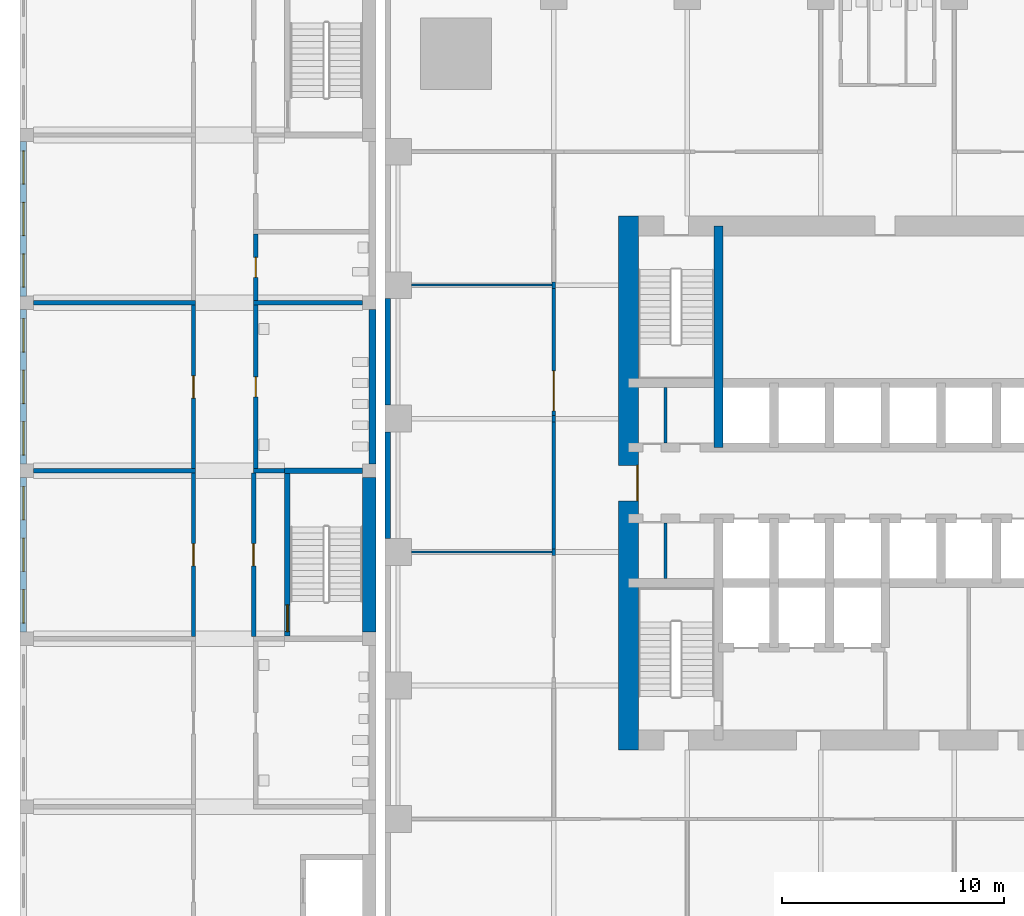
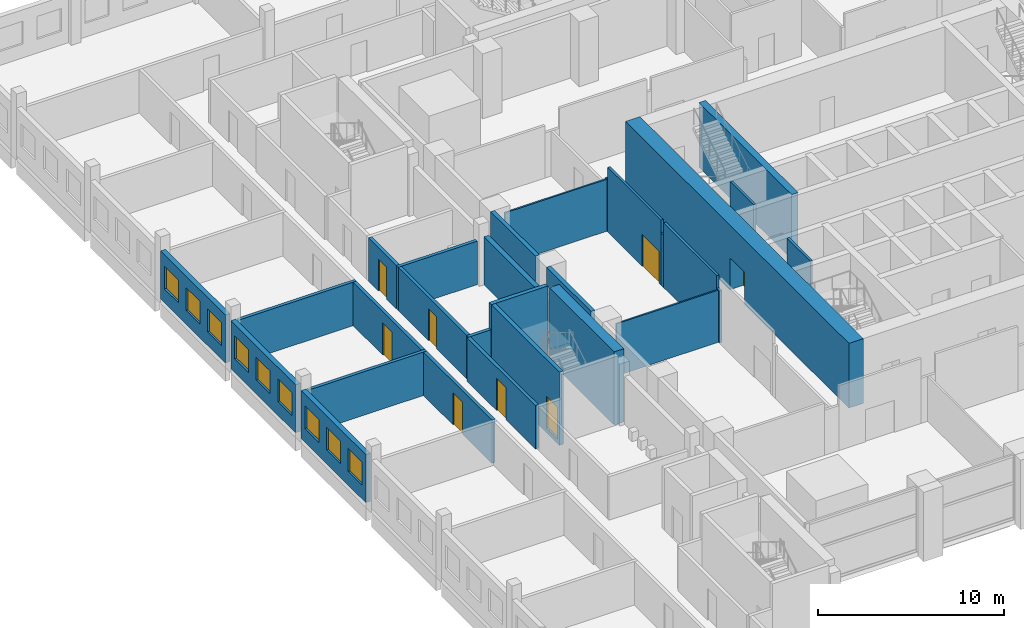
# One storey, part 12 of 24: 29 walls, 9 windows, 8 doors, 17 openings.
"""IFC4 building model written with IfcOpenShell, lengths in metres."""

from ifc_helpers import new_model, si_unit, direction, frame, frame_2d, origin, place, context, subcontext, project, spatial, rectangle, extrude, material, layer, layer_set, type_object, element, fill, save


model = new_model("IFC4")

# Units and contexts
model_context = context("Model", 3, precision=1e-05, world=origin(), true_north=direction((0.0, 1.0)))
body_context = subcontext(model_context, "Body", "Model", "MODEL_VIEW")
ifc_project = project(units=[si_unit("LENGTHUNIT", "METRE"), si_unit("AREAUNIT", "SQUARE_METRE"), si_unit("VOLUMEUNIT", "CUBIC_METRE"), si_unit("PLANEANGLEUNIT", "RADIAN"), si_unit("MASSUNIT", "GRAM", prefix="KILO")], contexts=[model_context])

# Site, building, storey
site_placement = place(None, origin())
site = spatial("IfcSite", under=ifc_project, at=site_placement, CompositionType="ELEMENT")
building_placement = place(site_placement, origin())
building = spatial("IfcBuilding", under=site, at=building_placement, Name="Amberfall Residences", CompositionType="ELEMENT")
storey_placement = place(building_placement, frame((0.0, 0.0, 19.0)))
storey = spatial("IfcBuildingStorey", under=building, at=storey_placement, Name="L04", CompositionType="ELEMENT", Elevation=19.0)

# Wall
ifc_material_1 = material(Name="Concrete C80", Category="concrete")
ifc_layer_1 = layer(ifc_material_1, 0.39990234375)
ifc_layer_set_1 = layer_set([ifc_layer_1], Name="Core wall 400 C80")
wall_type_1 = type_object("IfcWallType", Name="Core wall 400 C80", PredefinedType="SHEAR", material=ifc_layer_set_1)
wall_1_placement = place(storey_placement, frame((67.0, 47.10009765625, 0.0), z_axis=(0.0, 0.0, 1.0), x_axis=(0.0, 1.0, 0.0)))
element("IfcWall", 1, at=wall_1_placement, inside=storey, type_object=wall_type_1, Name="Core wall RW2 L04 V45N", PredefinedType="SHEAR", context=body_context, shape_type="SweptSolid", body=[
    extrude(rectangle(XDim=9.949951171875, YDim=0.39990234375, at=frame_2d((4.97509765625, 0.0))), origin(), (0.0, 0.0, 1.0), 4.25),
])

# Wall, opening, door
ifc_layer_2 = layer(ifc_material_1, 0.89990234375)
ifc_layer_set_2 = layer_set([ifc_layer_2], Name="Core wall 900 C80")
wall_type_2 = type_object("IfcWallType", Name="Core wall 900 C80", PredefinedType="SHEAR", material=ifc_layer_set_2)
wall_2_placement = place(storey_placement, frame((62.949951171875, 33.5, 0.0), z_axis=(0.0, 0.0, 1.0), x_axis=(0.0, 1.0, 0.0)))
wall_2 = element("IfcWall", 2, at=wall_2_placement, inside=storey, type_object=wall_type_2, Name="Core wall RW1 L04 OW", PredefinedType="SHEAR", context=body_context, shape_type="SweptSolid", body=[
    extrude(rectangle(XDim=24.0, YDim=0.89990234375, at=frame_2d((12.0, 0.0))), origin(), (0.0, 0.0, 1.0), 4.25),
])
opening_1_placement = place(wall_2_placement, frame((11.199951171875, 0.0, 0.0)))
opening_1 = element("IfcOpeningElement", 3, at=opening_1_placement, cuts=wall_2, Name="Opening LB1", PredefinedType="OPENING", context=body_context, shape_type="SweptSolid", body=[
    extrude(rectangle(XDim=1.60009765625, YDim=2.10009765625, at=frame_2d((0.800048828125, 1.050048828125))), frame((0.0, 0.4599609375, 0.0), z_axis=(0.0, -1.0, 0.0), x_axis=(1.0, 0.0, 0.0)), (0.0, 0.0, 1.0), 0.919921875),
])
ifc_material_2 = material(Name="Steel fire door set", Category="steel")
door_type_1 = type_object("IfcDoorType", Name="Lift lobby double door 1600 x 2100", OperationType="DOUBLE_DOOR_SINGLE_SWING", PredefinedType="DOOR", material=ifc_material_2)
door_1_placement = place(opening_1_placement, origin())
door_1 = element("IfcDoor", 4, at=door_1_placement, inside=storey, type_object=door_type_1, Name="LB1 L04", OperationType="DOUBLE_DOOR_SINGLE_SWING", OverallHeight=2.10009765625, OverallWidth=1.60009765625, PredefinedType="DOOR", context=body_context, shape_type="SweptSolid", body=[
    extrude(rectangle(XDim=1.60009765625, YDim=2.10009765625, at=frame_2d((0.800048828125, 1.050048828125))), frame((0.0, -0.3876953125, 0.0), z_axis=(0.0, -1.0, 0.0), x_axis=(1.0, 0.0, 0.0)), (0.0, 0.0, 1.0), 0.050048828125),
])
fill(opening_1, door_1)

# Walls
ifc_material_3 = material(Name="Gypsum board on steel studs", Category="steel")
ifc_layer_3 = layer(ifc_material_3, 0.10009765625)
ifc_layer_set_3 = layer_set([ifc_layer_3], Name="Partition 100")
wall_type_3 = type_object("IfcWallType", Name="Partition 100", PredefinedType="PARTITIONING", material=ifc_layer_set_3)
wall_3_placement = place(storey_placement, frame((53.199951171875, 42.39990234375, 0.0), z_axis=(0.0, 0.0, 1.0), x_axis=(1.0, 0.0, 0.0)))
element("IfcWall", 5, at=wall_3_placement, inside=storey, type_object=wall_type_3, Name="Partition 100 L04 001", PredefinedType="PARTITIONING", context=body_context, shape_type="SweptSolid", body=[
    extrude(rectangle(XDim=6.324951171875, YDim=0.10009765625, at=frame_2d((3.16259765625, 0.0))), origin(), (0.0, 0.0, 1.0), 3.4150390625),
])
wall_4_placement = place(storey_placement, frame((53.199951171875, 54.39990234375, 0.0), z_axis=(0.0, 0.0, 1.0), x_axis=(1.0, 0.0, 0.0)))
element("IfcWall", 6, at=wall_4_placement, inside=storey, type_object=wall_type_3, Name="Partition 100 L04 003", PredefinedType="PARTITIONING", context=body_context, shape_type="SweptSolid", body=[
    extrude(rectangle(XDim=6.324951171875, YDim=0.10009765625, at=frame_2d((3.16259765625, 0.0))), origin(), (0.0, 0.0, 1.0), 3.408935546875),
])
ifc_material_4 = material(Name="Fire-rated gypsum board on steel studs", Category="steel")
ifc_layer_4 = layer(ifc_material_4, 0.14990234375)
ifc_layer_set_4 = layer_set([ifc_layer_4], Name="Partition 150 fire-rated")
wall_type_4 = type_object("IfcWallType", Name="Partition 150 fire-rated", PredefinedType="PARTITIONING", material=ifc_layer_set_4)
wall_5_placement = place(storey_placement, frame((59.60009765625, 42.254150390625, 0.0), z_axis=(0.0, 0.0, 1.0), x_axis=(0.0, 1.0, 0.0)))
element("IfcWall", 7, at=wall_5_placement, inside=storey, type_object=wall_type_4, Name="Partition 150 fire-rated L04 031", PredefinedType="PARTITIONING", context=body_context, shape_type="SweptSolid", body=[
    extrude(rectangle(XDim=0.291748046875, YDim=0.14990234375, at=frame_2d((0.14599609375, 0.0))), origin(), (0.0, 0.0, 1.0), 3.4150390625),
])
wall_6_placement = place(storey_placement, frame((59.60009765625, 42.5458984375, 0.0), z_axis=(0.0, 0.0, 1.0), x_axis=(0.0, 1.0, 0.0)))
element("IfcWall", 8, at=wall_6_placement, inside=storey, type_object=wall_type_4, Name="Partition 150 fire-rated L04 032", PredefinedType="PARTITIONING", context=body_context, shape_type="SweptSolid", body=[
    extrude(rectangle(XDim=5.708251953125, YDim=0.14990234375, at=frame_2d((2.85400390625, 0.0))), origin(), (0.0, 0.0, 1.0), 4.25),
])
wall_7_placement = place(storey_placement, frame((59.60009765625, 48.254150390625, 0.0), z_axis=(0.0, 0.0, 1.0), x_axis=(0.0, 1.0, 0.0)))
element("IfcWall", 9, at=wall_7_placement, inside=storey, type_object=wall_type_4, Name="Partition 150 fire-rated L04 033", PredefinedType="PARTITIONING", context=body_context, shape_type="SweptSolid", body=[
    extrude(rectangle(XDim=0.291748046875, YDim=0.14990234375, at=frame_2d((0.14599609375, 0.0))), origin(), (0.0, 0.0, 1.0), 3.4150390625),
])

# Wall, opening, door
wall_8_placement = place(storey_placement, frame((59.60009765625, 48.5458984375, 0.0), z_axis=(0.0, 0.0, 1.0), x_axis=(0.0, 1.0, 0.0)))
wall_8 = element("IfcWall", 10, at=wall_8_placement, inside=storey, type_object=wall_type_4, Name="Partition 150 fire-rated L04 034", PredefinedType="PARTITIONING", context=body_context, shape_type="SweptSolid", body=[
    extrude(rectangle(XDim=5.708251953125, YDim=0.14990234375, at=frame_2d((2.85400390625, 0.0))), origin(), (0.0, 0.0, 1.0), 4.25),
])
opening_2_placement = place(wall_8_placement, frame((0.2041015625, 0.0, 0.0)))
opening_2 = element("IfcOpeningElement", 11, at=opening_2_placement, cuts=wall_8, Name="Opening D5", PredefinedType="OPENING", context=body_context, shape_type="SweptSolid", body=[
    extrude(rectangle(XDim=1.800048828125, YDim=2.10009765625, at=frame_2d((0.89990234375, 1.050048828125))), frame((0.0, 0.0849609375, 0.0), z_axis=(0.0, -1.0, 0.0), x_axis=(1.0, 0.0, 0.0)), (0.0, 0.0, 1.0), 0.169921875),
])
ifc_material_5 = material(Name="Timber veneer door leaf", Category="wood")
door_type_2 = type_object("IfcDoorType", Name="Double door 1800x2100", OperationType="DOUBLE_DOOR_SINGLE_SWING", PredefinedType="DOOR", material=ifc_material_5)
door_2_placement = place(opening_2_placement, origin())
door_2 = element("IfcDoor", 12, at=door_2_placement, inside=storey, type_object=door_type_2, Name="Door Craft room", OperationType="DOUBLE_DOOR_SINGLE_SWING", OverallHeight=2.10009765625, OverallWidth=1.800048828125, PredefinedType="DOOR", context=body_context, shape_type="SweptSolid", body=[
    extrude(rectangle(XDim=1.800048828125, YDim=2.10009765625, at=frame_2d((0.89990234375, 1.050048828125))), frame((0.0, 0.02490234375, 0.0), z_axis=(0.0, -1.0, 0.0), x_axis=(1.0, 0.0, 0.0)), (0.0, 0.0, 1.0), 0.050048828125),
])
fill(opening_2, door_2)

# Walls
wall_9_placement = place(storey_placement, frame((59.60009765625, 54.254150390625, 0.0), z_axis=(0.0, 0.0, 1.0), x_axis=(0.0, 1.0, 0.0)))
element("IfcWall", 13, at=wall_9_placement, inside=storey, type_object=wall_type_4, Name="Partition 150 fire-rated L04 035", PredefinedType="PARTITIONING", context=body_context, shape_type="SweptSolid", body=[
    extrude(rectangle(XDim=0.28662109375, YDim=0.14990234375, at=frame_2d((0.143310546875, 0.0))), origin(), (0.0, 0.0, 1.0), 3.408935546875),
])
ifc_material_6 = material(Name="Precast concrete C40", Category="concrete")
ifc_layer_5 = layer(ifc_material_6, 0.25)
ifc_layer_set_5 = layer_set([ifc_layer_5], Name="Podium external wall 250")
wall_type_5 = type_object("IfcWallType", Name="Podium external wall 250", PredefinedType="SOLIDWALL", material=ifc_layer_set_5)
for number, where, z_axis, x_axis, name in (
    (14, (52.125, 43.0, 0.0), (0.0, 0.0, 1.0), (0.0, 1.0, 0.0), "Podium external wall W4"),
    (15, (52.125, 49.0, 0.0), (0.0, 0.0, 1.0), (0.0, 1.0, 0.0), "Podium external wall W5"),
):
    element("IfcWall", number, at=place(storey_placement, frame(where, z_axis=z_axis, x_axis=x_axis)), inside=storey, type_object=wall_type_5, Name=name, PredefinedType="SOLIDWALL", context=body_context, shape_type="SweptSolid", body=[
        extrude(rectangle(XDim=4.800048828125, YDim=0.25, at=frame_2d((2.39990234375, 0.0))), origin(), (0.0, 0.0, 1.0), 4.25),
    ])
ifc_material_7 = material(Name="Concrete blockwork", Category="masonry")
ifc_layer_6 = layer(ifc_material_7, 0.14990234375)
ifc_layer_set_6 = layer_set([ifc_layer_6], Name="Riser wall 150")
wall_type_6 = type_object("IfcWallType", Name="Riser wall 150", PredefinedType="PLUMBINGWALL", material=ifc_layer_set_6)
for number, where, z_axis, x_axis, name in (
    (16, (64.6240234375, 41.199951171875, 0.0), (0.0, 0.0, 1.0), (0.0, 1.0, 0.0), "L04 core wall ASW0"),
    (17, (64.6240234375, 47.300048828125, 0.0), (0.0, 0.0, 1.0), (0.0, 1.0, 0.0), "L04 core wall ANW0"),
):
    element("IfcWall", number, at=place(storey_placement, frame(where, z_axis=z_axis, x_axis=x_axis)), inside=storey, type_object=wall_type_6, Name=name, PredefinedType="PLUMBINGWALL", context=body_context, shape_type="SweptSolid", body=[
        extrude(rectangle(XDim=2.5, YDim=0.14990234375, at=frame_2d((1.25, 0.0))), origin(), (0.0, 0.0, 1.0), 4.25),
    ])

# Wall, openings, windows
ifc_material_8 = material(Name="Aerated block wall")
ifc_layer_7 = layer(ifc_material_8, 0.300048828125)
ifc_layer_set_7 = layer_set([ifc_layer_7], Name="School external wall 300")
wall_type_7 = type_object("IfcWallType", Name="School external wall 300", PredefinedType="SOLIDWALL", material=ifc_layer_set_7)
wall_10_placement = place(storey_placement, frame((35.75, 38.800048828125, 0.0), z_axis=(0.0, 0.0, 1.0), x_axis=(0.0, 1.0, 0.0)))
wall_10 = element("IfcWall", 18, at=wall_10_placement, inside=storey, type_object=wall_type_7, Name="School external wall L04 EW4", PredefinedType="SOLIDWALL", context=body_context, shape_type="SweptSolid", body=[
    extrude(rectangle(XDim=6.949951171875, YDim=0.300048828125, at=frame_2d((3.47509765625, 0.0))), origin(), (0.0, 0.0, 1.0), 3.14990234375),
])
opening_3_placement = place(wall_10_placement, frame((0.408203125, 0.0, 0.89990234375)))
opening_3 = element("IfcOpeningElement", 19, at=opening_3_placement, cuts=wall_10, Name="Opening SWN1", PredefinedType="OPENING", context=body_context, shape_type="SweptSolid", body=[
    extrude(rectangle(XDim=1.5, YDim=1.5, at=frame_2d((0.75, 0.75))), frame((0.0, 0.159912109375, 0.0), z_axis=(0.0, -1.0, 0.0), x_axis=(1.0, 0.0, 0.0)), (0.0, 0.0, 1.0), 0.320068359375),
])
opening_4_placement = place(wall_10_placement, frame((2.72509765625, 0.0, 0.89990234375)))
opening_4 = element("IfcOpeningElement", 20, at=opening_4_placement, cuts=wall_10, Name="Opening SWN1", PredefinedType="OPENING", context=body_context, shape_type="SweptSolid", body=[
    extrude(rectangle(XDim=1.5, YDim=1.5, at=frame_2d((0.75, 0.75))), frame((0.0, 0.159912109375, 0.0), z_axis=(0.0, -1.0, 0.0), x_axis=(1.0, 0.0, 0.0)), (0.0, 0.0, 1.0), 0.320068359375),
])
opening_5_placement = place(wall_10_placement, frame((5.041748046875, 0.0, 0.89990234375)))
opening_5 = element("IfcOpeningElement", 21, at=opening_5_placement, cuts=wall_10, Name="Opening SWN1", PredefinedType="OPENING", context=body_context, shape_type="SweptSolid", body=[
    extrude(rectangle(XDim=1.5, YDim=1.5, at=frame_2d((0.75, 0.75))), frame((0.0, 0.159912109375, 0.0), z_axis=(0.0, -1.0, 0.0), x_axis=(1.0, 0.0, 0.0)), (0.0, 0.0, 1.0), 0.320068359375),
])
ifc_material_9 = material(Name="Aluminium window", Category="aluminium")
window_type = type_object("IfcWindowType", Name="School window 1500 x 1500", PartitioningType="DOUBLE_PANEL_HORIZONTAL", PredefinedType="WINDOW", material=ifc_material_9)
window_1_placement = place(opening_3_placement, origin())
window_1 = element("IfcWindow", 22, at=window_1_placement, inside=storey, type_object=window_type, Name="School window L04 EW4-1", OverallHeight=1.5, OverallWidth=1.5, PartitioningType="DOUBLE_PANEL_HORIZONTAL", PredefinedType="WINDOW", context=body_context, shape_type="SweptSolid", body=[
    extrude(rectangle(XDim=1.5, YDim=1.5, at=frame_2d((0.75, 0.75))), frame((0.0, 0.030029296875, 0.0), z_axis=(0.0, -1.0, 0.0), x_axis=(1.0, 0.0, 0.0)), (0.0, 0.0, 1.0), 0.06005859375),
])
fill(opening_3, window_1)
window_2_placement = place(opening_4_placement, origin())
window_2 = element("IfcWindow", 23, at=window_2_placement, inside=storey, type_object=window_type, Name="School window L04 EW4-2", OverallHeight=1.5, OverallWidth=1.5, PartitioningType="DOUBLE_PANEL_HORIZONTAL", PredefinedType="WINDOW", context=body_context, shape_type="SweptSolid", body=[
    extrude(rectangle(XDim=1.5, YDim=1.5, at=frame_2d((0.75, 0.75))), frame((0.0, 0.030029296875, 0.0), z_axis=(0.0, -1.0, 0.0), x_axis=(1.0, 0.0, 0.0)), (0.0, 0.0, 1.0), 0.06005859375),
])
fill(opening_4, window_2)
window_3_placement = place(opening_5_placement, origin())
window_3 = element("IfcWindow", 24, at=window_3_placement, inside=storey, type_object=window_type, Name="School window L04 EW4-3", OverallHeight=1.5, OverallWidth=1.5, PartitioningType="DOUBLE_PANEL_HORIZONTAL", PredefinedType="WINDOW", context=body_context, shape_type="SweptSolid", body=[
    extrude(rectangle(XDim=1.5, YDim=1.5, at=frame_2d((0.75, 0.75))), frame((0.0, 0.030029296875, 0.0), z_axis=(0.0, -1.0, 0.0), x_axis=(1.0, 0.0, 0.0)), (0.0, 0.0, 1.0), 0.06005859375),
])
fill(opening_5, window_3)

wall_11_placement = place(storey_placement, frame((35.75, 46.35009765625, 0.0), z_axis=(0.0, 0.0, 1.0), x_axis=(0.0, 1.0, 0.0)))
wall_11 = element("IfcWall", 25, at=wall_11_placement, inside=storey, type_object=wall_type_7, Name="School external wall L04 EW5", PredefinedType="SOLIDWALL", context=body_context, shape_type="SweptSolid", body=[
    extrude(rectangle(XDim=6.949951171875, YDim=0.300048828125, at=frame_2d((3.47509765625, 0.0))), origin(), (0.0, 0.0, 1.0), 3.14990234375),
])
opening_6_placement = place(wall_11_placement, frame((0.408203125, 0.0, 0.89990234375)))
opening_6 = element("IfcOpeningElement", 26, at=opening_6_placement, cuts=wall_11, Name="Opening SWN1", PredefinedType="OPENING", context=body_context, shape_type="SweptSolid", body=[
    extrude(rectangle(XDim=1.5, YDim=1.5, at=frame_2d((0.75, 0.75))), frame((0.0, 0.159912109375, 0.0), z_axis=(0.0, -1.0, 0.0), x_axis=(1.0, 0.0, 0.0)), (0.0, 0.0, 1.0), 0.320068359375),
])
opening_7_placement = place(wall_11_placement, frame((2.72509765625, 0.0, 0.89990234375)))
opening_7 = element("IfcOpeningElement", 27, at=opening_7_placement, cuts=wall_11, Name="Opening SWN1", PredefinedType="OPENING", context=body_context, shape_type="SweptSolid", body=[
    extrude(rectangle(XDim=1.5, YDim=1.5, at=frame_2d((0.75, 0.75))), frame((0.0, 0.159912109375, 0.0), z_axis=(0.0, -1.0, 0.0), x_axis=(1.0, 0.0, 0.0)), (0.0, 0.0, 1.0), 0.320068359375),
])
opening_8_placement = place(wall_11_placement, frame((5.041748046875, 0.0, 0.89990234375)))
opening_8 = element("IfcOpeningElement", 28, at=opening_8_placement, cuts=wall_11, Name="Opening SWN1", PredefinedType="OPENING", context=body_context, shape_type="SweptSolid", body=[
    extrude(rectangle(XDim=1.5, YDim=1.5, at=frame_2d((0.75, 0.75))), frame((0.0, 0.159912109375, 0.0), z_axis=(0.0, -1.0, 0.0), x_axis=(1.0, 0.0, 0.0)), (0.0, 0.0, 1.0), 0.320068359375),
])
window_4_placement = place(opening_6_placement, origin())
window_4 = element("IfcWindow", 29, at=window_4_placement, inside=storey, type_object=window_type, Name="School window L04 EW5-1", OverallHeight=1.5, OverallWidth=1.5, PartitioningType="DOUBLE_PANEL_HORIZONTAL", PredefinedType="WINDOW", context=body_context, shape_type="SweptSolid", body=[
    extrude(rectangle(XDim=1.5, YDim=1.5, at=frame_2d((0.75, 0.75))), frame((0.0, 0.030029296875, 0.0), z_axis=(0.0, -1.0, 0.0), x_axis=(1.0, 0.0, 0.0)), (0.0, 0.0, 1.0), 0.06005859375),
])
fill(opening_6, window_4)
window_5_placement = place(opening_7_placement, origin())
window_5 = element("IfcWindow", 30, at=window_5_placement, inside=storey, type_object=window_type, Name="School window L04 EW5-2", OverallHeight=1.5, OverallWidth=1.5, PartitioningType="DOUBLE_PANEL_HORIZONTAL", PredefinedType="WINDOW", context=body_context, shape_type="SweptSolid", body=[
    extrude(rectangle(XDim=1.5, YDim=1.5, at=frame_2d((0.75, 0.75))), frame((0.0, 0.030029296875, 0.0), z_axis=(0.0, -1.0, 0.0), x_axis=(1.0, 0.0, 0.0)), (0.0, 0.0, 1.0), 0.06005859375),
])
fill(opening_7, window_5)
window_6_placement = place(opening_8_placement, origin())
window_6 = element("IfcWindow", 31, at=window_6_placement, inside=storey, type_object=window_type, Name="School window L04 EW5-3", OverallHeight=1.5, OverallWidth=1.5, PartitioningType="DOUBLE_PANEL_HORIZONTAL", PredefinedType="WINDOW", context=body_context, shape_type="SweptSolid", body=[
    extrude(rectangle(XDim=1.5, YDim=1.5, at=frame_2d((0.75, 0.75))), frame((0.0, 0.030029296875, 0.0), z_axis=(0.0, -1.0, 0.0), x_axis=(1.0, 0.0, 0.0)), (0.0, 0.0, 1.0), 0.06005859375),
])
fill(opening_8, window_6)

wall_12_placement = place(storey_placement, frame((35.75, 53.89990234375, 0.0), z_axis=(0.0, 0.0, 1.0), x_axis=(0.0, 1.0, 0.0)))
wall_12 = element("IfcWall", 32, at=wall_12_placement, inside=storey, type_object=wall_type_7, Name="School external wall L04 EW6", PredefinedType="SOLIDWALL", context=body_context, shape_type="SweptSolid", body=[
    extrude(rectangle(XDim=6.9501953125, YDim=0.300048828125, at=frame_2d((3.47509765625, 0.0))), origin(), (0.0, 0.0, 1.0), 3.14990234375),
])
opening_9_placement = place(wall_12_placement, frame((0.408203125, 0.0, 0.89990234375)))
opening_9 = element("IfcOpeningElement", 33, at=opening_9_placement, cuts=wall_12, Name="Opening SWN1", PredefinedType="OPENING", context=body_context, shape_type="SweptSolid", body=[
    extrude(rectangle(XDim=1.5, YDim=1.5, at=frame_2d((0.75, 0.75))), frame((0.0, 0.159912109375, 0.0), z_axis=(0.0, -1.0, 0.0), x_axis=(1.0, 0.0, 0.0)), (0.0, 0.0, 1.0), 0.320068359375),
])
opening_10_placement = place(wall_12_placement, frame((2.72509765625, 0.0, 0.89990234375)))
opening_10 = element("IfcOpeningElement", 34, at=opening_10_placement, cuts=wall_12, Name="Opening SWN1", PredefinedType="OPENING", context=body_context, shape_type="SweptSolid", body=[
    extrude(rectangle(XDim=1.5, YDim=1.5, at=frame_2d((0.75, 0.75))), frame((0.0, 0.159912109375, 0.0), z_axis=(0.0, -1.0, 0.0), x_axis=(1.0, 0.0, 0.0)), (0.0, 0.0, 1.0), 0.320068359375),
])
opening_11_placement = place(wall_12_placement, frame((5.041748046875, 0.0, 0.89990234375)))
opening_11 = element("IfcOpeningElement", 35, at=opening_11_placement, cuts=wall_12, Name="Opening SWN1", PredefinedType="OPENING", context=body_context, shape_type="SweptSolid", body=[
    extrude(rectangle(XDim=1.5, YDim=1.5, at=frame_2d((0.75, 0.75))), frame((0.0, 0.159912109375, 0.0), z_axis=(0.0, -1.0, 0.0), x_axis=(1.0, 0.0, 0.0)), (0.0, 0.0, 1.0), 0.320068359375),
])
window_7_placement = place(opening_9_placement, origin())
window_7 = element("IfcWindow", 36, at=window_7_placement, inside=storey, type_object=window_type, Name="School window L04 EW6-1", OverallHeight=1.5, OverallWidth=1.5, PartitioningType="DOUBLE_PANEL_HORIZONTAL", PredefinedType="WINDOW", context=body_context, shape_type="SweptSolid", body=[
    extrude(rectangle(XDim=1.5, YDim=1.5, at=frame_2d((0.75, 0.75))), frame((0.0, 0.030029296875, 0.0), z_axis=(0.0, -1.0, 0.0), x_axis=(1.0, 0.0, 0.0)), (0.0, 0.0, 1.0), 0.06005859375),
])
fill(opening_9, window_7)
window_8_placement = place(opening_10_placement, origin())
window_8 = element("IfcWindow", 37, at=window_8_placement, inside=storey, type_object=window_type, Name="School window L04 EW6-2", OverallHeight=1.5, OverallWidth=1.5, PartitioningType="DOUBLE_PANEL_HORIZONTAL", PredefinedType="WINDOW", context=body_context, shape_type="SweptSolid", body=[
    extrude(rectangle(XDim=1.5, YDim=1.5, at=frame_2d((0.75, 0.75))), frame((0.0, 0.030029296875, 0.0), z_axis=(0.0, -1.0, 0.0), x_axis=(1.0, 0.0, 0.0)), (0.0, 0.0, 1.0), 0.06005859375),
])
fill(opening_10, window_8)
window_9_placement = place(opening_11_placement, origin())
window_9 = element("IfcWindow", 38, at=window_9_placement, inside=storey, type_object=window_type, Name="School window L04 EW6-3", OverallHeight=1.5, OverallWidth=1.5, PartitioningType="DOUBLE_PANEL_HORIZONTAL", PredefinedType="WINDOW", context=body_context, shape_type="SweptSolid", body=[
    extrude(rectangle(XDim=1.5, YDim=1.5, at=frame_2d((0.75, 0.75))), frame((0.0, 0.030029296875, 0.0), z_axis=(0.0, -1.0, 0.0), x_axis=(1.0, 0.0, 0.0)), (0.0, 0.0, 1.0), 0.06005859375),
])
fill(opening_11, window_9)

# Wall
wall_13_placement = place(storey_placement, frame((51.449951171875, 46.35009765625, 0.0), z_axis=(0.0, 0.0, 1.0), x_axis=(0.0, 1.0, 0.0)))
element("IfcWall", 39, at=wall_13_placement, inside=storey, type_object=wall_type_7, Name="School external wall L04 ET5", PredefinedType="SOLIDWALL", context=body_context, shape_type="SweptSolid", body=[
    extrude(rectangle(XDim=6.949951171875, YDim=0.300048828125, at=frame_2d((3.47509765625, 0.0))), origin(), (0.0, 0.0, 1.0), 3.14990234375),
])

# Wall, opening, door
ifc_layer_8 = layer(ifc_material_8, 0.199951171875)
ifc_layer_set_8 = layer_set([ifc_layer_8], Name="School partition 200")
wall_type_8 = type_object("IfcWallType", Name="School partition 200", PredefinedType="PARTITIONING", material=ifc_layer_set_8)
wall_14_placement = place(storey_placement, frame((43.39990234375, 38.60009765625, 0.0), z_axis=(0.0, 0.0, 1.0), x_axis=(0.0, 1.0, 0.0)))
wall_14 = element("IfcWall", 40, at=wall_14_placement, inside=storey, type_object=wall_type_8, Name="School partition L04 CWW4", PredefinedType="PARTITIONING", context=body_context, shape_type="SweptSolid", body=[
    extrude(rectangle(XDim=7.349853515625, YDim=0.199951171875, at=frame_2d((3.6748046875, 0.0))), origin(), (0.0, 0.0, 1.0), 2.85009765625),
])
opening_12_placement = place(wall_14_placement, frame((3.175048828125, 0.0, 0.0)))
opening_12 = element("IfcOpeningElement", 41, at=opening_12_placement, cuts=wall_14, Name="Opening SD5", PredefinedType="OPENING", context=body_context, shape_type="SweptSolid", body=[
    extrude(rectangle(XDim=1.0, YDim=2.10009765625, at=frame_2d((0.5, 1.050048828125))), frame((0.0, 0.10986328125, 0.0), z_axis=(0.0, -1.0, 0.0), x_axis=(1.0, 0.0, 0.0)), (0.0, 0.0, 1.0), 0.219970703125),
])
ifc_material_10 = material(Name="Timber door", Category="wood")
door_type_3 = type_object("IfcDoorType", Name="School classroom door 1000 x 2100", OperationType="SINGLE_SWING_LEFT", PredefinedType="DOOR", material=ifc_material_10)
door_3_placement = place(opening_12_placement, origin())
door_3 = element("IfcDoor", 42, at=door_3_placement, inside=storey, type_object=door_type_3, Name="School door L04 CWW4-1", OperationType="SINGLE_SWING_LEFT", OverallHeight=2.10009765625, OverallWidth=1.0, PredefinedType="DOOR", context=body_context, shape_type="SweptSolid", body=[
    extrude(rectangle(XDim=1.0, YDim=2.10009765625, at=frame_2d((0.5, 1.050048828125))), frame((0.0, 0.02490234375, 0.0), z_axis=(0.0, -1.0, 0.0), x_axis=(1.0, 0.0, 0.0)), (0.0, 0.0, 1.0), 0.050048828125),
])
fill(opening_12, door_3)

wall_15_placement = place(storey_placement, frame((43.39990234375, 46.14990234375, 0.0), z_axis=(0.0, 0.0, 1.0), x_axis=(0.0, 1.0, 0.0)))
wall_15 = element("IfcWall", 43, at=wall_15_placement, inside=storey, type_object=wall_type_8, Name="School partition L04 CWW5", PredefinedType="PARTITIONING", context=body_context, shape_type="SweptSolid", body=[
    extrude(rectangle(XDim=7.35009765625, YDim=0.199951171875, at=frame_2d((3.675048828125, 0.0))), origin(), (0.0, 0.0, 1.0), 2.85009765625),
])
opening_13_placement = place(wall_15_placement, frame((3.175048828125, 0.0, 0.0)))
opening_13 = element("IfcOpeningElement", 44, at=opening_13_placement, cuts=wall_15, Name="Opening SD5", PredefinedType="OPENING", context=body_context, shape_type="SweptSolid", body=[
    extrude(rectangle(XDim=1.0, YDim=2.10009765625, at=frame_2d((0.5, 1.050048828125))), frame((0.0, 0.10986328125, 0.0), z_axis=(0.0, -1.0, 0.0), x_axis=(1.0, 0.0, 0.0)), (0.0, 0.0, 1.0), 0.219970703125),
])
door_4_placement = place(opening_13_placement, origin())
door_4 = element("IfcDoor", 45, at=door_4_placement, inside=storey, type_object=door_type_3, Name="School door L04 CWW5-1", OperationType="SINGLE_SWING_LEFT", OverallHeight=2.10009765625, OverallWidth=1.0, PredefinedType="DOOR", context=body_context, shape_type="SweptSolid", body=[
    extrude(rectangle(XDim=1.0, YDim=2.10009765625, at=frame_2d((0.5, 1.050048828125))), frame((0.0, 0.02490234375, 0.0), z_axis=(0.0, -1.0, 0.0), x_axis=(1.0, 0.0, 0.0)), (0.0, 0.0, 1.0), 0.050048828125),
])
fill(opening_13, door_4)

# Walls
for number, where, z_axis, x_axis, name in (
    (46, (36.199951171875, 46.050048828125, 0.0), (0.0, 0.0, 1.0), (1.0, 0.0, 0.0), "School partition L04 PW4605"),
    (47, (36.199951171875, 53.60009765625, 0.0), (0.0, 0.0, 1.0), (1.0, 0.0, 0.0), "School partition L04 PW5360"),
):
    element("IfcWall", number, at=place(storey_placement, frame(where, z_axis=z_axis, x_axis=x_axis)), inside=storey, type_object=wall_type_8, Name=name, PredefinedType="PARTITIONING", context=body_context, shape_type="SweptSolid", body=[
        extrude(rectangle(XDim=7.300048828125, YDim=0.199951171875, at=frame_2d((3.64990234375, 0.0))), origin(), (0.0, 0.0, 1.0), 2.85009765625),
    ])

# Wall, opening, door
wall_16_placement = place(storey_placement, frame((46.199951171875, 46.14990234375, 0.0), z_axis=(0.0, 0.0, 1.0), x_axis=(0.0, 1.0, 0.0)))
wall_16 = element("IfcWall", 48, at=wall_16_placement, inside=storey, type_object=wall_type_8, Name="School partition L04 CWE546", PredefinedType="PARTITIONING", context=body_context, shape_type="SweptSolid", body=[
    extrude(rectangle(XDim=7.35009765625, YDim=0.199951171875, at=frame_2d((3.675048828125, 0.0))), origin(), (0.0, 0.0, 1.0), 2.85009765625),
])
opening_14_placement = place(wall_16_placement, frame((3.22509765625, 0.0, 0.0)))
opening_14 = element("IfcOpeningElement", 49, at=opening_14_placement, cuts=wall_16, Name="Opening SD2", PredefinedType="OPENING", context=body_context, shape_type="SweptSolid", body=[
    extrude(rectangle(XDim=0.89990234375, YDim=2.10009765625, at=frame_2d((0.449951171875, 1.050048828125))), frame((0.0, 0.10986328125, 0.0), z_axis=(0.0, -1.0, 0.0), x_axis=(1.0, 0.0, 0.0)), (0.0, 0.0, 1.0), 0.219970703125),
])
door_type_4 = type_object("IfcDoorType", Name="School WC door 900 x 2100", OperationType="SINGLE_SWING_LEFT", PredefinedType="DOOR", material=ifc_material_10)
door_5_placement = place(opening_14_placement, origin())
door_5 = element("IfcDoor", 50, at=door_5_placement, inside=storey, type_object=door_type_4, Name="School door L04 CWE546-1", OperationType="SINGLE_SWING_LEFT", OverallHeight=2.10009765625, OverallWidth=0.89990234375, PredefinedType="DOOR", context=body_context, shape_type="SweptSolid", body=[
    extrude(rectangle(XDim=0.89990234375, YDim=2.10009765625, at=frame_2d((0.449951171875, 1.050048828125))), frame((0.0, 0.02490234375, 0.0), z_axis=(0.0, -1.0, 0.0), x_axis=(1.0, 0.0, 0.0)), (0.0, 0.0, 1.0), 0.050048828125),
])
fill(opening_14, door_5)

wall_17_placement = place(storey_placement, frame((46.199951171875, 53.699951171875, 0.0), z_axis=(0.0, 0.0, 1.0), x_axis=(0.0, 1.0, 0.0)))
wall_17 = element("IfcWall", 51, at=wall_17_placement, inside=storey, type_object=wall_type_8, Name="School partition L04 CWE654", PredefinedType="PARTITIONING", context=body_context, shape_type="SweptSolid", body=[
    extrude(rectangle(XDim=3.0, YDim=0.199951171875, at=frame_2d((1.5, 0.0))), origin(), (0.0, 0.0, 1.0), 2.85009765625),
])
opening_15_placement = place(wall_17_placement, frame((1.050048828125, 0.0, 0.0)))
opening_15 = element("IfcOpeningElement", 52, at=opening_15_placement, cuts=wall_17, Name="Opening SD2", PredefinedType="OPENING", context=body_context, shape_type="SweptSolid", body=[
    extrude(rectangle(XDim=0.89990234375, YDim=2.10009765625, at=frame_2d((0.449951171875, 1.050048828125))), frame((0.0, 0.10986328125, 0.0), z_axis=(0.0, -1.0, 0.0), x_axis=(1.0, 0.0, 0.0)), (0.0, 0.0, 1.0), 0.219970703125),
])
door_6_placement = place(opening_15_placement, origin())
door_6 = element("IfcDoor", 53, at=door_6_placement, inside=storey, type_object=door_type_4, Name="School door L04 CWE654-1", OperationType="SINGLE_SWING_LEFT", OverallHeight=2.10009765625, OverallWidth=0.89990234375, PredefinedType="DOOR", context=body_context, shape_type="SweptSolid", body=[
    extrude(rectangle(XDim=0.89990234375, YDim=2.10009765625, at=frame_2d((0.449951171875, 1.050048828125))), frame((0.0, 0.02490234375, 0.0), z_axis=(0.0, -1.0, 0.0), x_axis=(1.0, 0.0, 0.0)), (0.0, 0.0, 1.0), 0.050048828125),
])
fill(opening_15, door_6)

# Walls
wall_18_placement = place(storey_placement, frame((46.10009765625, 46.050048828125, 0.0), z_axis=(0.0, 0.0, 1.0), x_axis=(1.0, 0.0, 0.0)))
element("IfcWall", 54, at=wall_18_placement, inside=storey, type_object=wall_type_8, Name="School partition L04 PEA5", PredefinedType="PARTITIONING", context=body_context, shape_type="SweptSolid", body=[
    extrude(rectangle(XDim=1.39990234375, YDim=0.199951171875, at=frame_2d((0.699951171875, 0.0))), origin(), (0.0, 0.0, 1.0), 2.85009765625),
])
wall_19_placement = place(storey_placement, frame((46.10009765625, 53.60009765625, 0.0), z_axis=(0.0, 0.0, 1.0), x_axis=(1.0, 0.0, 0.0)))
element("IfcWall", 55, at=wall_19_placement, inside=storey, type_object=wall_type_8, Name="School partition L04 PE6", PredefinedType="PARTITIONING", context=body_context, shape_type="SweptSolid", body=[
    extrude(rectangle(XDim=4.89990234375, YDim=0.199951171875, at=frame_2d((2.449951171875, 0.0))), origin(), (0.0, 0.0, 1.0), 2.85009765625),
])

# Wall, opening, door
wall_20_placement = place(storey_placement, frame((46.10009765625, 38.60009765625, 0.0), z_axis=(0.0, 0.0, 1.0), x_axis=(0.0, 1.0, 0.0)))
wall_20 = element("IfcWall", 56, at=wall_20_placement, inside=storey, type_object=wall_type_8, Name="School partition L04 CWLSS2", PredefinedType="PARTITIONING", context=body_context, shape_type="SweptSolid", body=[
    extrude(rectangle(XDim=7.349853515625, YDim=0.199951171875, at=frame_2d((3.6748046875, 0.0))), origin(), (0.0, 0.0, 1.0), 2.85009765625),
])
opening_16_placement = place(wall_20_placement, frame((3.175048828125, 0.0, 0.0)))
opening_16 = element("IfcOpeningElement", 57, at=opening_16_placement, cuts=wall_20, Name="Opening SD8", PredefinedType="OPENING", context=body_context, shape_type="SweptSolid", body=[
    extrude(rectangle(XDim=1.0, YDim=2.10009765625, at=frame_2d((0.5, 1.050048828125))), frame((0.0, 0.10986328125, 0.0), z_axis=(0.0, -1.0, 0.0), x_axis=(1.0, 0.0, 0.0)), (0.0, 0.0, 1.0), 0.219970703125),
])
door_type_5 = type_object("IfcDoorType", Name="School lobby door 1000 x 2100", OperationType="SINGLE_SWING_LEFT", PredefinedType="DOOR", material=ifc_material_10)
door_7_placement = place(opening_16_placement, origin())
door_7 = element("IfcDoor", 58, at=door_7_placement, inside=storey, type_object=door_type_5, Name="School door L04 CWLSS2-1", OperationType="SINGLE_SWING_LEFT", OverallHeight=2.10009765625, OverallWidth=1.0, PredefinedType="DOOR", context=body_context, shape_type="SweptSolid", body=[
    extrude(rectangle(XDim=1.0, YDim=2.10009765625, at=frame_2d((0.5, 1.050048828125))), frame((0.0, 0.02490234375, 0.0), z_axis=(0.0, -1.0, 0.0), x_axis=(1.0, 0.0, 0.0)), (0.0, 0.0, 1.0), 0.050048828125),
])
fill(opening_16, door_7)

ifc_material_11 = material(Name="Concrete C50", Category="concrete")
ifc_layer_9 = layer(ifc_material_11, 0.25)
ifc_layer_set_9 = layer_set([ifc_layer_9], Name="School stair core wall 250 C50")
wall_type_9 = type_object("IfcWallType", Name="School stair core wall 250 C50", PredefinedType="SHEAR", material=ifc_layer_set_9)
wall_21_placement = place(storey_placement, frame((47.625, 38.625, -0.300048828125), z_axis=(0.0, 0.0, 1.0), x_axis=(0.0, 1.0, 0.0)))
wall_21 = element("IfcWall", 59, at=wall_21_placement, inside=storey, type_object=wall_type_9, Name="School core wall L04 SS2W", PredefinedType="SHEAR", context=body_context, shape_type="SweptSolid", body=[
    extrude(rectangle(XDim=7.300048828125, YDim=0.25, at=frame_2d((3.64990234375, 0.0))), origin(), (0.0, 0.0, 1.0), 4.800048828125),
])
opening_17_placement = place(wall_21_placement, frame((0.199951171875, 0.0, 0.300048828125)))
opening_17 = element("IfcOpeningElement", 60, at=opening_17_placement, cuts=wall_21, Name="Opening SD4", PredefinedType="OPENING", context=body_context, shape_type="SweptSolid", body=[
    extrude(rectangle(XDim=1.199951171875, YDim=2.10009765625, at=frame_2d((0.60009765625, 1.050048828125))), frame((0.0, 0.135009765625, 0.0), z_axis=(0.0, -1.0, 0.0), x_axis=(1.0, 0.0, 0.0)), (0.0, 0.0, 1.0), 0.27001953125),
])
ifc_material_12 = material(Name="Steel fire door", Category="steel")
door_type_6 = type_object("IfcDoorType", Name="School stair door 1200 x 2100 FD120", OperationType="SINGLE_SWING_LEFT", PredefinedType="DOOR", material=ifc_material_12)
door_8_placement = place(opening_17_placement, origin())
door_8 = element("IfcDoor", 61, at=door_8_placement, inside=storey, type_object=door_type_6, Name="School stair door L04 SS2", OperationType="SINGLE_SWING_LEFT", OverallHeight=2.10009765625, OverallWidth=1.199951171875, PredefinedType="DOOR", context=body_context, shape_type="SweptSolid", body=[
    extrude(rectangle(XDim=1.199951171875, YDim=2.10009765625, at=frame_2d((0.60009765625, 1.050048828125))), frame((0.0, 0.02490234375, 0.0), z_axis=(0.0, -1.0, 0.0), x_axis=(1.0, 0.0, 0.0)), (0.0, 0.0, 1.0), 0.050048828125),
])
fill(opening_17, door_8)

# Walls
wall_22_placement = place(storey_placement, frame((47.5, 46.050048828125, -0.300048828125), z_axis=(0.0, 0.0, 1.0), x_axis=(1.0, 0.0, 0.0)))
element("IfcWall", 62, at=wall_22_placement, inside=storey, type_object=wall_type_9, Name="School core wall L04 SS2N", PredefinedType="SHEAR", context=body_context, shape_type="SweptSolid", body=[
    extrude(rectangle(XDim=3.5, YDim=0.25, at=frame_2d((1.75, 0.0))), origin(), (0.0, 0.0, 1.0), 4.800048828125),
])
ifc_layer_10 = layer(ifc_material_11, 0.60009765625)
ifc_layer_set_10 = layer_set([ifc_layer_10], Name="School tower-side core wall 600 C50")
wall_type_10 = type_object("IfcWallType", Name="School tower-side core wall 600 C50", PredefinedType="SHEAR", material=ifc_layer_set_10)
wall_23_placement = place(storey_placement, frame((51.300048828125, 38.800048828125, -0.300048828125), z_axis=(0.0, 0.0, 1.0), x_axis=(0.0, 1.0, 0.0)))
element("IfcWall", 63, at=wall_23_placement, inside=storey, type_object=wall_type_10, Name="School core wall L04 SS2E", PredefinedType="SHEAR", context=body_context, shape_type="SweptSolid", body=[
    extrude(rectangle(XDim=6.949951171875, YDim=0.60009765625, at=frame_2d((3.47509765625, 0.0))), origin(), (0.0, 0.0, 1.0), 4.800048828125),
])

save(model, "model.ifc")
